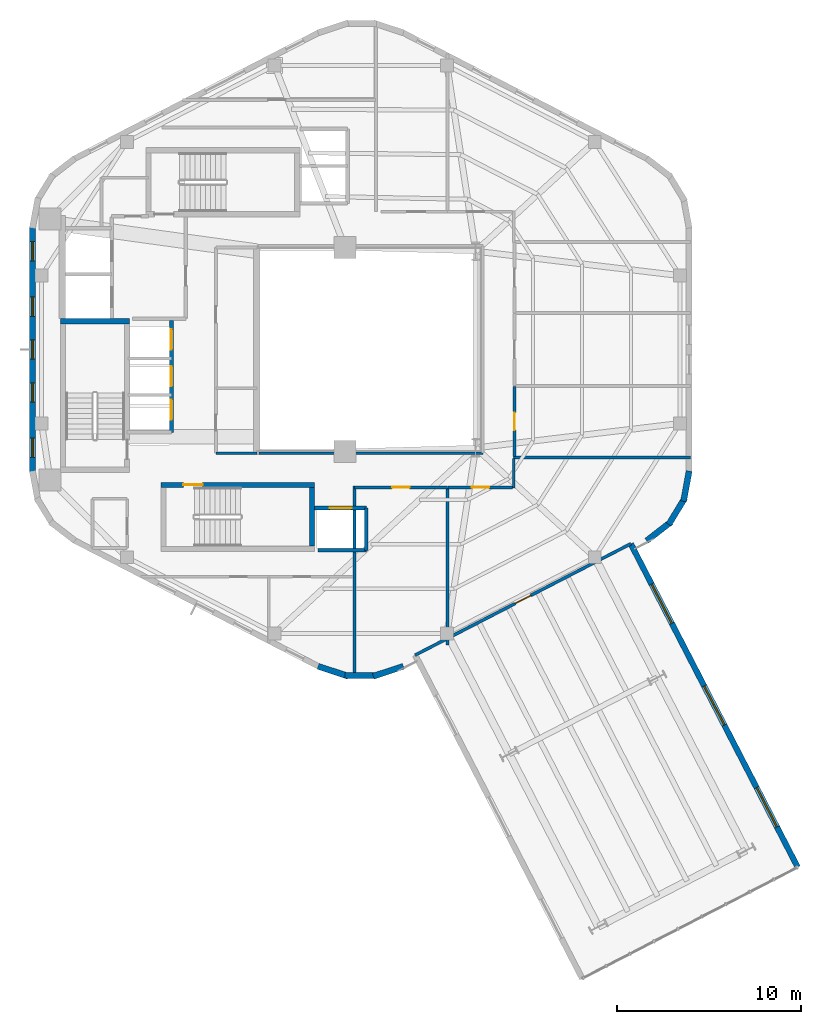
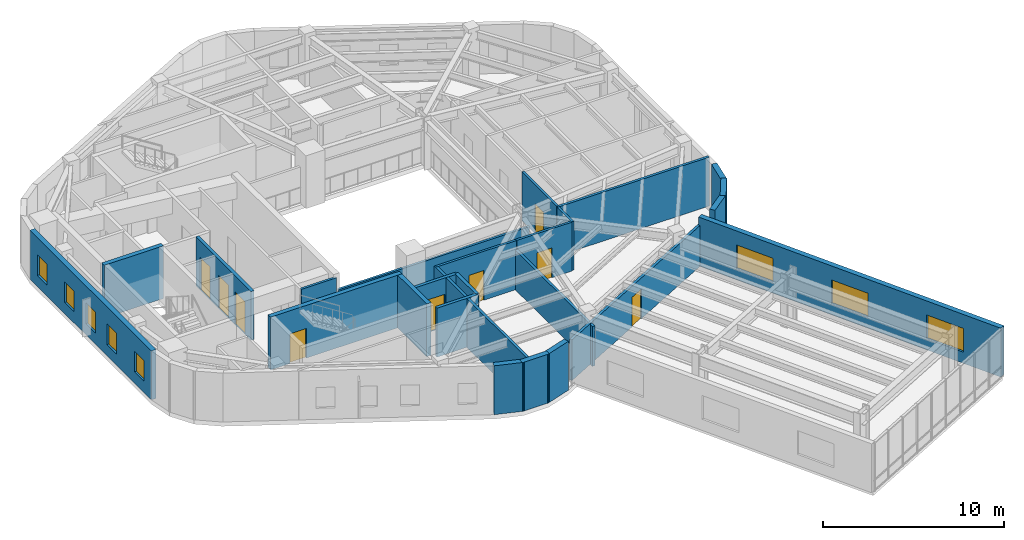
# One storey, part 7 of 11: 25 walls, 9 doors, 8 windows, 17 openings.
"""IFC4 building model written with IfcOpenShell, lengths in metres."""

from ifc_helpers import new_model, si_unit, direction, frame, frame_2d, origin, place, context, subcontext, project, spatial, rectangle, extrude, material, layer, layer_set, type_object, element, fill, save


model = new_model("IFC4")

# Units and contexts
model_context = context("Model", 3, precision=1e-05, world=origin(), true_north=direction((0.0, 1.0)))
body_context = subcontext(model_context, "Body", "Model", "MODEL_VIEW")
ifc_project = project(units=[si_unit("LENGTHUNIT", "METRE"), si_unit("AREAUNIT", "SQUARE_METRE"), si_unit("VOLUMEUNIT", "CUBIC_METRE"), si_unit("PLANEANGLEUNIT", "RADIAN"), si_unit("MASSUNIT", "GRAM", prefix="KILO"), si_unit("THERMODYNAMICTEMPERATUREUNIT", "KELVIN"), si_unit("POWERUNIT", "WATT")], contexts=[model_context])

# Site, building, storey
site_placement = place(None, origin())
site = spatial("IfcSite", under=ifc_project, at=site_placement, CompositionType="ELEMENT")
building_placement = place(site_placement, origin())
building = spatial("IfcBuilding", under=site, at=building_placement, Name="Skarre Station Tower", CompositionType="ELEMENT")
storey_placement = place(building_placement, frame((0.0, 0.0, 241.89990234375)))
storey = spatial("IfcBuildingStorey", under=building, at=storey_placement, Name="L66", CompositionType="ELEMENT", Elevation=241.89990234375)

# Walls
ifc_material_1 = material(Name="Acoustic Steel-Stud Gypsum Partition", Category="steel")
ifc_layer_1 = layer(ifc_material_1, 0.14990234375, Name="Acoustic Steel-Stud Gypsum Partition")
ifc_layer_set_1 = layer_set([ifc_layer_1], Name="Acoustic Steel-Stud Gypsum Partition")
wall_type_1 = type_object("IfcWallType", Name="Fire-Rated Corridor Acoustic Partition 150", PredefinedType="PARTITIONING", material=ifc_layer_set_1)
wall_1_placement = place(storey_placement, frame((25.320068359375, 18.360107421875, 0.0), z_axis=(0.0, 0.0, 1.0), x_axis=(1.0, 0.0, 0.0)))
element("IfcWall", 1, at=wall_1_placement, inside=storey, type_object=wall_type_1, Name="L66 Interior Partition WL-PT-L66-RC2-S", PredefinedType="PARTITIONING", context=body_context, shape_type="SweptSolid", body=[
    extrude(rectangle(XDim=2.22998046875, YDim=0.14990234375, at=frame_2d((1.114990234375, 0.0))), origin(), (0.0, 0.0, 1.0), 3.2900390625),
])
wall_2_placement = place(storey_placement, frame((27.675048828125, 18.360107421875, 0.0), z_axis=(0.0, 0.0, 1.0), x_axis=(1.0, 0.0, 0.0)))
element("IfcWall", 2, at=wall_2_placement, inside=storey, type_object=wall_type_1, Name="L66 Interior Partition WL-PT-L66-ATRW-S", PredefinedType="PARTITIONING", context=body_context, shape_type="SweptSolid", body=[
    extrude(rectangle(XDim=12.1650390625, YDim=0.14990234375, at=frame_2d((6.08251953125, 0.0))), origin(), (0.0, 0.0, 1.0), 2.43115234375),
])

# Wall, opening, door
wall_3_placement = place(storey_placement, frame((41.56005859375, 18.179931640625, 0.0), z_axis=(0.0, 0.0, 1.0), x_axis=(0.0, 1.0, 0.0)))
wall_3 = element("IfcWall", 3, at=wall_3_placement, inside=storey, type_object=wall_type_1, Name="L66 Interior Partition WL-PT-L66-EW1-CW", PredefinedType="PARTITIONING", context=body_context, shape_type="SweptSolid", body=[
    extrude(rectangle(XDim=3.822998046875, YDim=0.14990234375, at=frame_2d((1.91162109375, 0.0))), origin(), (0.0, 0.0, 1.0), 3.2900390625),
])
opening_1_placement = place(wall_3_placement, frame((1.431884765625, 0.0, 0.0)))
opening_1 = element("IfcOpeningElement", 4, at=opening_1_placement, cuts=wall_3, Name="Opening DR-FD60", PredefinedType="OPENING", context=body_context, shape_type="SweptSolid", body=[
    extrude(rectangle(XDim=0.9599609375, YDim=2.0, at=frame_2d((0.47998046875, 1.0))), frame((0.0, 0.0849609375, 0.0), z_axis=(0.0, -1.0, 0.0), x_axis=(1.0, 0.0, 0.0)), (0.0, 0.0, 1.0), 0.169921875),
])
ifc_material_2 = material(Name="Nordic White-Oak Veneer Solid-Core Fire Leaf", Category="wood")
door_type_1 = type_object("IfcDoorType", Name="Corridor Suite Entry Fire Door FD60 960x2150", OperationType="SINGLE_SWING_LEFT", PredefinedType="DOOR", material=ifc_material_2)
door_1_placement = place(opening_1_placement, origin())
door_1 = element("IfcDoor", 5, at=door_1_placement, inside=storey, type_object=door_type_1, Name="L66 EW1 Entry Door", OperationType="SINGLE_SWING_LEFT", OverallHeight=2.0, OverallWidth=0.9599609375, PredefinedType="DOOR", context=body_context, shape_type="SweptSolid", body=[
    extrude(rectangle(XDim=0.9599609375, YDim=2.0, at=frame_2d((0.47998046875, 1.0))), frame((0.0, 0.02490234375, 0.0), z_axis=(0.0, -1.0, 0.0), x_axis=(1.0, 0.0, 0.0)), (0.0, 0.0, 1.0), 0.050048828125),
])
fill(opening_1, door_1)

# Wall
wall_4_placement = place(storey_placement, frame((41.52001953125, 16.4599609375, 0.0), z_axis=(0.0, 0.0, 1.0), x_axis=(0.0, 1.0, 0.0)))
element("IfcWall", 6, at=wall_4_placement, inside=storey, type_object=wall_type_1, Name="L66 Interior Partition WL-PT-L66-CORR-SER", PredefinedType="PARTITIONING", context=body_context, shape_type="SweptSolid", body=[
    extrude(rectangle(XDim=1.60205078125, YDim=0.14990234375, at=frame_2d((0.801025390625, 0.0))), origin(), (0.0, 0.0, 1.0), 3.2900390625),
])

# Wall, opening, door
wall_5_placement = place(storey_placement, frame((32.85009765625, 16.5, 0.0), z_axis=(0.0, 0.0, 1.0), x_axis=(1.0, 0.0, 0.0)))
wall_5 = element("IfcWall", 7, at=wall_5_placement, inside=storey, type_object=wall_type_1, Name="L66 Interior Partition WL-PT-L66-SW1-CW", PredefinedType="PARTITIONING", context=body_context, shape_type="SweptSolid", body=[
    extrude(rectangle(XDim=5.060791015625, YDim=0.14990234375, at=frame_2d((2.5302734375, 0.0))), origin(), (0.0, 0.0, 1.0), 3.2900390625),
])
opening_2_placement = place(wall_5_placement, frame((2.051025390625, 0.0, 0.0)))
opening_2 = element("IfcOpeningElement", 8, at=opening_2_placement, cuts=wall_5, Name="Opening DR-FD60", PredefinedType="OPENING", context=body_context, shape_type="SweptSolid", body=[
    extrude(rectangle(XDim=0.9599609375, YDim=2.0, at=frame_2d((0.47998046875, 1.0))), frame((0.0, 0.0849609375, 0.0), z_axis=(0.0, -1.0, 0.0), x_axis=(1.0, 0.0, 0.0)), (0.0, 0.0, 1.0), 0.169921875),
])
door_2_placement = place(opening_2_placement, origin())
door_2 = element("IfcDoor", 9, at=door_2_placement, inside=storey, type_object=door_type_1, Name="L66 SW1 Entry Door", OperationType="SINGLE_SWING_LEFT", OverallHeight=2.0, OverallWidth=0.9599609375, PredefinedType="DOOR", context=body_context, shape_type="SweptSolid", body=[
    extrude(rectangle(XDim=0.9599609375, YDim=2.0, at=frame_2d((0.47998046875, 1.0))), frame((0.0, 0.02490234375, 0.0), z_axis=(0.0, -1.0, 0.0), x_axis=(1.0, 0.0, 0.0)), (0.0, 0.0, 1.0), 0.050048828125),
])
fill(opening_2, door_2)

wall_6_placement = place(storey_placement, frame((37.947021484375, 16.5, 0.0), z_axis=(0.0, 0.0, 1.0), x_axis=(1.0, 0.0, 0.0)))
wall_6 = element("IfcWall", 10, at=wall_6_placement, inside=storey, type_object=wall_type_1, Name="L66 Interior Partition WL-PT-L66-SW2-CW", PredefinedType="PARTITIONING", context=body_context, shape_type="SweptSolid", body=[
    extrude(rectangle(XDim=3.512939453125, YDim=0.14990234375, at=frame_2d((1.75634765625, 0.0))), origin(), (0.0, 0.0, 1.0), 3.2900390625),
])
opening_3_placement = place(wall_6_placement, frame((1.277099609375, 0.0, 0.0)))
opening_3 = element("IfcOpeningElement", 11, at=opening_3_placement, cuts=wall_6, Name="Opening DR-FD60", PredefinedType="OPENING", context=body_context, shape_type="SweptSolid", body=[
    extrude(rectangle(XDim=0.9599609375, YDim=2.0, at=frame_2d((0.47998046875, 1.0))), frame((0.0, 0.0849609375, 0.0), z_axis=(0.0, -1.0, 0.0), x_axis=(1.0, 0.0, 0.0)), (0.0, 0.0, 1.0), 0.169921875),
])
door_3_placement = place(opening_3_placement, origin())
door_3 = element("IfcDoor", 12, at=door_3_placement, inside=storey, type_object=door_type_1, Name="L66 SW2 Entry Door", OperationType="SINGLE_SWING_LEFT", OverallHeight=2.0, OverallWidth=0.9599609375, PredefinedType="DOOR", context=body_context, shape_type="SweptSolid", body=[
    extrude(rectangle(XDim=0.9599609375, YDim=2.0, at=frame_2d((0.47998046875, 1.0))), frame((0.0, 0.02490234375, 0.0), z_axis=(0.0, -1.0, 0.0), x_axis=(1.0, 0.0, 0.0)), (0.0, 0.0, 1.0), 0.050048828125),
])
fill(opening_3, door_3)

# Walls
ifc_material_3 = material(Name="Precast concrete C45/55", Category="concrete")
ifc_layer_2 = layer(ifc_material_3, 0.330078125, Name="Precast concrete C45/55")
ifc_layer_set_2 = layer_set([ifc_layer_2], Name="Precast concrete C45/55")
wall_type_2 = type_object("IfcWallType", Name="Nordic Rounded Corner Precast Wall 330", PredefinedType="STANDARD", material=ifc_layer_set_2)
wall_7_placement = place(storey_placement, frame((35.51806640625, 6.76904296875, 0.0), z_axis=(0.0, 0.0, 1.0), x_axis=(-0.949713440491, -0.313120393699, 0.0)))
element("IfcWall", 13, at=wall_7_placement, inside=storey, type_object=wall_type_2, Name="L66 Rounded Corner Precast Wall F4-1", PredefinedType="STANDARD", context=body_context, shape_type="SweptSolid", body=[
    extrude(rectangle(XDim=1.7216796875, YDim=0.330078125, at=frame_2d((0.86083984375, 0.0))), origin(), (0.0, 0.0, 1.0), 3.2900390625),
])
wall_8_placement = place(storey_placement, frame((34.06103515625, 6.259033203125, 0.0), z_axis=(0.0, 0.0, 1.0), x_axis=(-1.0, 0.0, 0.0)))
element("IfcWall", 14, at=wall_8_placement, inside=storey, type_object=wall_type_2, Name="L66 Rounded Corner Precast Wall F4-2", PredefinedType="STANDARD", context=body_context, shape_type="SweptSolid", body=[
    extrude(rectangle(XDim=1.721923828125, YDim=0.330078125, at=frame_2d((0.86083984375, 0.0))), origin(), (0.0, 0.0, 1.0), 3.2900390625),
])
wall_9_placement = place(storey_placement, frame((32.51708984375, 6.22998046875, 0.0), z_axis=(0.0, 0.0, 1.0), x_axis=(-0.949713440491, 0.313120393699, 0.0)))
element("IfcWall", 15, at=wall_9_placement, inside=storey, type_object=wall_type_2, Name="L66 Rounded Corner Precast Wall F4-3", PredefinedType="STANDARD", context=body_context, shape_type="SweptSolid", body=[
    extrude(rectangle(XDim=1.7216796875, YDim=0.330078125, at=frame_2d((0.86083984375, 0.0))), origin(), (0.0, 0.0, 1.0), 3.2900390625),
])
wall_10_placement = place(storey_placement, frame((51.06201171875, 17.39208984375, 0.0), z_axis=(0.0, 0.0, 1.0), x_axis=(-0.180691763044, -0.983539773862, 0.0)))
element("IfcWall", 16, at=wall_10_placement, inside=storey, type_object=wall_type_2, Name="L66 Rounded Corner Precast Wall F5-1", PredefinedType="STANDARD", context=body_context, shape_type="SweptSolid", body=[
    extrude(rectangle(XDim=1.6767578125, YDim=0.330078125, at=frame_2d((0.83837890625, 0.0))), origin(), (0.0, 0.0, 1.0), 3.2900390625),
])
wall_11_placement = place(storey_placement, frame((50.825927734375, 15.91796875, 0.0), z_axis=(0.0, 0.0, 1.0), x_axis=(-0.520325409202, -0.853968072318, 0.0)))
element("IfcWall", 17, at=wall_11_placement, inside=storey, type_object=wall_type_2, Name="L66 Rounded Corner Precast Wall F5-2", PredefinedType="STANDARD", context=body_context, shape_type="SweptSolid", body=[
    extrude(rectangle(XDim=1.677978515625, YDim=0.330078125, at=frame_2d((0.8388671875, 0.0))), origin(), (0.0, 0.0, 1.0), 3.2900390625),
])
wall_12_placement = place(storey_placement, frame((50.077880859375, 14.625, 0.0), z_axis=(0.0, 0.0, 1.0), x_axis=(-0.790691856293, -0.61221433207, 0.0)))
element("IfcWall", 18, at=wall_12_placement, inside=storey, type_object=wall_type_2, Name="L66 Rounded Corner Precast Wall F5-3", PredefinedType="STANDARD", context=body_context, shape_type="SweptSolid", body=[
    extrude(rectangle(XDim=1.67578125, YDim=0.330078125, at=frame_2d((0.837890625, 0.0))), origin(), (0.0, 0.0, 1.0), 3.2900390625),
])

# Wall, openings, windows
ifc_layer_3 = layer(ifc_material_3, 0.31005859375, Name="Precast concrete C45/55")
ifc_layer_set_3 = layer_set([ifc_layer_3], Name="Precast concrete C45/55")
wall_type_3 = type_object("IfcWallType", Name="Nordic Upper-Zone Precast Facet Wall 310", PredefinedType="STANDARD", material=ifc_layer_set_3)
wall_13_placement = place(storey_placement, frame((15.342041015625, 17.298095703125, 0.0), z_axis=(0.0, 0.0, 1.0), x_axis=(0.0, 1.0, 0.0)))
wall_13 = element("IfcWall", 19, at=wall_13_placement, inside=storey, type_object=wall_type_3, Name="L66 Facet 2 Nordic Precast Masonry Wall", PredefinedType="STANDARD", context=body_context, shape_type="SweptSolid", body=[
    extrude(rectangle(XDim=13.40380859375, YDim=0.31005859375, at=frame_2d((6.701904296875, 0.0))), origin(), (0.0, 0.0, 1.0), 3.2900390625),
])
opening_4_placement = place(wall_13_placement, frame((0.8310546875, 0.0, 0.75)))
opening_4 = element("IfcOpeningElement", 20, at=opening_4_placement, cuts=wall_13, Name="Opening WN-SLT", PredefinedType="OPENING", context=body_context, shape_type="SweptSolid", body=[
    extrude(rectangle(XDim=1.050048828125, YDim=1.39990234375, at=frame_2d((0.52490234375, 0.699951171875))), frame((0.0, 0.1650390625, 0.0), z_axis=(0.0, -1.0, 0.0), x_axis=(1.0, 0.0, 0.0)), (0.0, 0.0, 1.0), 0.330078125),
])
opening_5_placement = place(wall_13_placement, frame((3.843017578125, 0.0, 0.75)))
opening_5 = element("IfcOpeningElement", 21, at=opening_5_placement, cuts=wall_13, Name="Opening WN-SLT", PredefinedType="OPENING", context=body_context, shape_type="SweptSolid", body=[
    extrude(rectangle(XDim=1.050048828125, YDim=1.39990234375, at=frame_2d((0.52490234375, 0.699951171875))), frame((0.0, 0.1650390625, 0.0), z_axis=(0.0, -1.0, 0.0), x_axis=(1.0, 0.0, 0.0)), (0.0, 0.0, 1.0), 0.330078125),
])
opening_6_placement = place(wall_13_placement, frame((6.177001953125, 0.0, 0.75)))
opening_6 = element("IfcOpeningElement", 22, at=opening_6_placement, cuts=wall_13, Name="Opening WN-SLT", PredefinedType="OPENING", context=body_context, shape_type="SweptSolid", body=[
    extrude(rectangle(XDim=1.050048828125, YDim=1.39990234375, at=frame_2d((0.52490234375, 0.699951171875))), frame((0.0, 0.1650390625, 0.0), z_axis=(0.0, -1.0, 0.0), x_axis=(1.0, 0.0, 0.0)), (0.0, 0.0, 1.0), 0.330078125),
])
opening_7_placement = place(wall_13_placement, frame((8.510986328125, 0.0, 0.75)))
opening_7 = element("IfcOpeningElement", 23, at=opening_7_placement, cuts=wall_13, Name="Opening WN-SLT", PredefinedType="OPENING", context=body_context, shape_type="SweptSolid", body=[
    extrude(rectangle(XDim=1.050048828125, YDim=1.39990234375, at=frame_2d((0.52490234375, 0.699951171875))), frame((0.0, 0.1650390625, 0.0), z_axis=(0.0, -1.0, 0.0), x_axis=(1.0, 0.0, 0.0)), (0.0, 0.0, 1.0), 0.330078125),
])
opening_8_placement = place(wall_13_placement, frame((11.52392578125, 0.0, 0.75)))
opening_8 = element("IfcOpeningElement", 24, at=opening_8_placement, cuts=wall_13, Name="Opening WN-SLT", PredefinedType="OPENING", context=body_context, shape_type="SweptSolid", body=[
    extrude(rectangle(XDim=1.050048828125, YDim=1.39990234375, at=frame_2d((0.52490234375, 0.699951171875))), frame((0.0, 0.1650390625, 0.0), z_axis=(0.0, -1.0, 0.0), x_axis=(1.0, 0.0, 0.0)), (0.0, 0.0, 1.0), 0.330078125),
])
ifc_material_4 = material(Name="Low-Iron Triple Glazing with Bronze Anodized Frame", Category="glass")
window_type_1 = type_object("IfcWindowType", Name="Nordic Corner Slot Window 1050x1400", PartitioningType="SINGLE_PANEL", PredefinedType="WINDOW", material=ifc_material_4)
window_1_placement = place(opening_4_placement, origin())
window_1 = element("IfcWindow", 25, at=window_1_placement, inside=storey, type_object=window_type_1, Name="L66 Facade Window WL-FAC-L66-F2-1", OverallHeight=1.39990234375, OverallWidth=1.050048828125, PartitioningType="SINGLE_PANEL", PredefinedType="WINDOW", context=body_context, shape_type="SweptSolid", body=[
    extrude(rectangle(XDim=1.050048828125, YDim=1.39990234375, at=frame_2d((0.52490234375, 0.699951171875))), frame((0.0, 0.030029296875, 0.0), z_axis=(0.0, -1.0, 0.0), x_axis=(1.0, 0.0, 0.0)), (0.0, 0.0, 1.0), 0.06005859375),
])
fill(opening_4, window_1)
window_2_placement = place(opening_5_placement, origin())
window_2 = element("IfcWindow", 26, at=window_2_placement, inside=storey, type_object=window_type_1, Name="L66 Facade Window WL-FAC-L66-F2-2", OverallHeight=1.39990234375, OverallWidth=1.050048828125, PartitioningType="SINGLE_PANEL", PredefinedType="WINDOW", context=body_context, shape_type="SweptSolid", body=[
    extrude(rectangle(XDim=1.050048828125, YDim=1.39990234375, at=frame_2d((0.52490234375, 0.699951171875))), frame((0.0, 0.030029296875, 0.0), z_axis=(0.0, -1.0, 0.0), x_axis=(1.0, 0.0, 0.0)), (0.0, 0.0, 1.0), 0.06005859375),
])
fill(opening_5, window_2)
window_3_placement = place(opening_6_placement, origin())
window_3 = element("IfcWindow", 27, at=window_3_placement, inside=storey, type_object=window_type_1, Name="L66 Facade Window WL-FAC-L66-F2-3", OverallHeight=1.39990234375, OverallWidth=1.050048828125, PartitioningType="SINGLE_PANEL", PredefinedType="WINDOW", context=body_context, shape_type="SweptSolid", body=[
    extrude(rectangle(XDim=1.050048828125, YDim=1.39990234375, at=frame_2d((0.52490234375, 0.699951171875))), frame((0.0, 0.030029296875, 0.0), z_axis=(0.0, -1.0, 0.0), x_axis=(1.0, 0.0, 0.0)), (0.0, 0.0, 1.0), 0.06005859375),
])
fill(opening_6, window_3)
window_4_placement = place(opening_7_placement, origin())
window_4 = element("IfcWindow", 28, at=window_4_placement, inside=storey, type_object=window_type_1, Name="L66 Facade Window WL-FAC-L66-F2-4", OverallHeight=1.39990234375, OverallWidth=1.050048828125, PartitioningType="SINGLE_PANEL", PredefinedType="WINDOW", context=body_context, shape_type="SweptSolid", body=[
    extrude(rectangle(XDim=1.050048828125, YDim=1.39990234375, at=frame_2d((0.52490234375, 0.699951171875))), frame((0.0, 0.030029296875, 0.0), z_axis=(0.0, -1.0, 0.0), x_axis=(1.0, 0.0, 0.0)), (0.0, 0.0, 1.0), 0.06005859375),
])
fill(opening_7, window_4)
window_5_placement = place(opening_8_placement, origin())
window_5 = element("IfcWindow", 29, at=window_5_placement, inside=storey, type_object=window_type_1, Name="L66 Facade Window WL-FAC-L66-F2-5", OverallHeight=1.39990234375, OverallWidth=1.050048828125, PartitioningType="SINGLE_PANEL", PredefinedType="WINDOW", context=body_context, shape_type="SweptSolid", body=[
    extrude(rectangle(XDim=1.050048828125, YDim=1.39990234375, at=frame_2d((0.52490234375, 0.699951171875))), frame((0.0, 0.030029296875, 0.0), z_axis=(0.0, -1.0, 0.0), x_axis=(1.0, 0.0, 0.0)), (0.0, 0.0, 1.0), 0.06005859375),
])
fill(opening_8, window_5)

wall_14_placement = place(storey_placement, frame((47.887939453125, 13.43310546875, 0.0), z_axis=(0.0, 0.0, 1.0), x_axis=(0.458693173014, -0.888594718097, 0.0)))
wall_14 = element("IfcWall", 30, at=wall_14_placement, inside=storey, type_object=wall_type_3, Name="L66 SB-5 Side 2 Precast Wall", PredefinedType="STANDARD", context=body_context, shape_type="SweptSolid", body=[
    extrude(rectangle(XDim=19.7998046875, YDim=0.31005859375, at=frame_2d((9.89990234375, 0.0))), origin(), (0.0, 0.0, 1.0), 3.2900390625),
])
opening_9_placement = place(wall_14_placement, frame((2.467041015625, 0.0, 0.75)))
opening_9 = element("IfcOpeningElement", 31, at=opening_9_placement, cuts=wall_14, Name="Opening WN-Z4A", PredefinedType="OPENING", context=body_context, shape_type="SweptSolid", body=[
    extrude(rectangle(XDim=2.39990234375, YDim=1.60009765625, at=frame_2d((1.199951171875, 0.800048828125))), frame((0.0, 0.1650390625, 0.0), z_axis=(0.0, -1.0, 0.0), x_axis=(1.0, 0.0, 0.0)), (0.0, 0.0, 1.0), 0.330078125),
])
opening_10_placement = place(wall_14_placement, frame((8.699951171875, 0.0, 0.75)))
opening_10 = element("IfcOpeningElement", 32, at=opening_10_placement, cuts=wall_14, Name="Opening WN-Z4A", PredefinedType="OPENING", context=body_context, shape_type="SweptSolid", body=[
    extrude(rectangle(XDim=2.39990234375, YDim=1.60009765625, at=frame_2d((1.199951171875, 0.800048828125))), frame((0.0, 0.1650390625, 0.0), z_axis=(0.0, -1.0, 0.0), x_axis=(1.0, 0.0, 0.0)), (0.0, 0.0, 1.0), 0.330078125),
])
opening_11_placement = place(wall_14_placement, frame((14.93310546875, 0.0, 0.75)))
opening_11 = element("IfcOpeningElement", 33, at=opening_11_placement, cuts=wall_14, Name="Opening WN-Z4A", PredefinedType="OPENING", context=body_context, shape_type="SweptSolid", body=[
    extrude(rectangle(XDim=2.39990234375, YDim=1.60009765625, at=frame_2d((1.199951171875, 0.800048828125))), frame((0.0, 0.1650390625, 0.0), z_axis=(0.0, -1.0, 0.0), x_axis=(1.0, 0.0, 0.0)), (0.0, 0.0, 1.0), 0.330078125),
])
window_type_2 = type_object("IfcWindowType", Name="Nordic Crown Panorama Window 2400x1600", PartitioningType="SINGLE_PANEL", PredefinedType="WINDOW", material=ifc_material_4)
window_6_placement = place(opening_9_placement, origin())
window_6 = element("IfcWindow", 34, at=window_6_placement, inside=storey, type_object=window_type_2, Name="L66 Facade Window WL-SB-5-L66-S2-1", OverallHeight=1.60009765625, OverallWidth=2.39990234375, PartitioningType="SINGLE_PANEL", PredefinedType="WINDOW", context=body_context, shape_type="SweptSolid", body=[
    extrude(rectangle(XDim=2.39990234375, YDim=1.60009765625, at=frame_2d((1.199951171875, 0.800048828125))), frame((0.0, 0.030029296875, 0.0), z_axis=(0.0, -1.0, 0.0), x_axis=(1.0, 0.0, 0.0)), (0.0, 0.0, 1.0), 0.06005859375),
])
fill(opening_9, window_6)
window_7_placement = place(opening_10_placement, origin())
window_7 = element("IfcWindow", 35, at=window_7_placement, inside=storey, type_object=window_type_2, Name="L66 Facade Window WL-SB-5-L66-S2-2", OverallHeight=1.60009765625, OverallWidth=2.39990234375, PartitioningType="SINGLE_PANEL", PredefinedType="WINDOW", context=body_context, shape_type="SweptSolid", body=[
    extrude(rectangle(XDim=2.39990234375, YDim=1.60009765625, at=frame_2d((1.199951171875, 0.800048828125))), frame((0.0, 0.030029296875, 0.0), z_axis=(0.0, -1.0, 0.0), x_axis=(1.0, 0.0, 0.0)), (0.0, 0.0, 1.0), 0.06005859375),
])
fill(opening_10, window_7)
window_8_placement = place(opening_11_placement, origin())
window_8 = element("IfcWindow", 36, at=window_8_placement, inside=storey, type_object=window_type_2, Name="L66 Facade Window WL-SB-5-L66-S2-3", OverallHeight=1.60009765625, OverallWidth=2.39990234375, PartitioningType="SINGLE_PANEL", PredefinedType="WINDOW", context=body_context, shape_type="SweptSolid", body=[
    extrude(rectangle(XDim=2.39990234375, YDim=1.60009765625, at=frame_2d((1.199951171875, 0.800048828125))), frame((0.0, 0.030029296875, 0.0), z_axis=(0.0, -1.0, 0.0), x_axis=(1.0, 0.0, 0.0)), (0.0, 0.0, 1.0), 0.06005859375),
])
fill(opening_11, window_8)

# Wall
ifc_material_5 = material(Name="Concrete C50/60", Category="concrete")
ifc_layer_4 = layer(ifc_material_5, 0.280029296875, Name="Concrete C50/60")
ifc_layer_set_4 = layer_set([ifc_layer_4], Name="Concrete C50/60")
wall_type_4 = type_object("IfcWallType", Name="RC Core Shear Wall 280", PredefinedType="SHEAR", material=ifc_layer_set_4)
wall_15_placement = place(storey_placement, frame((20.6298828125, 25.5400390625, 0.0), z_axis=(0.0, 0.0, 1.0), x_axis=(-1.0, 0.0, 0.0)))
element("IfcWall", 37, at=wall_15_placement, inside=storey, type_object=wall_type_4, Name="L66 Stair ST-1 North Shear Wall", PredefinedType="SHEAR", context=body_context, shape_type="SweptSolid", body=[
    extrude(rectangle(XDim=3.759765625, YDim=0.280029296875, at=frame_2d((1.8798828125, 0.0))), origin(), (0.0, 0.0, 1.0), 3.550048828125),
])

# Wall, opening, door
wall_16_placement = place(storey_placement, frame((30.679931640625, 16.639892578125, 0.0), z_axis=(0.0, 0.0, 1.0), x_axis=(-1.0, 0.0, 0.0)))
wall_16 = element("IfcWall", 38, at=wall_16_placement, inside=storey, type_object=wall_type_4, Name="L66 Stair ST-2 North Shear Wall", PredefinedType="SHEAR", context=body_context, shape_type="SweptSolid", body=[
    extrude(rectangle(XDim=8.35986328125, YDim=0.280029296875, at=frame_2d((4.179931640625, 0.0))), origin(), (0.0, 0.0, 1.0), 3.550048828125),
])
opening_12_placement = place(wall_16_placement, frame((6.080078125, 0.0, 0.0)))
opening_12 = element("IfcOpeningElement", 39, at=opening_12_placement, cuts=wall_16, Name="Opening DR-FD90", PredefinedType="OPENING", context=body_context, shape_type="SweptSolid", body=[
    extrude(rectangle(XDim=1.050048828125, YDim=2.0, at=frame_2d((0.52490234375, 1.0))), frame((0.0, 0.14990234375, 0.0), z_axis=(0.0, -1.0, 0.0), x_axis=(1.0, 0.0, 0.0)), (0.0, 0.0, 1.0), 0.300048828125),
])
ifc_material_6 = material(Name="Fire-Rated Insulated Steel Frame & Timber Core Leaf", Category="steel")
door_type_2 = type_object("IfcDoorType", Name="Stair & FSAE Lobby Fire Door FD90 1050x2150", OperationType="SINGLE_SWING_RIGHT", PredefinedType="DOOR", material=ifc_material_6)
door_4_placement = place(opening_12_placement, origin())
door_4 = element("IfcDoor", 40, at=door_4_placement, inside=storey, type_object=door_type_2, Name="L66 Stair ST-2 Exit Door", OperationType="SINGLE_SWING_RIGHT", OverallHeight=2.0, OverallWidth=1.050048828125, PredefinedType="DOOR", context=body_context, shape_type="SweptSolid", body=[
    extrude(rectangle(XDim=1.050048828125, YDim=2.0, at=frame_2d((0.52490234375, 1.0))), frame((0.0, 0.02490234375, 0.0), z_axis=(0.0, -1.0, 0.0), x_axis=(1.0, 0.0, 0.0)), (0.0, 0.0, 1.0), 0.050048828125),
])
fill(opening_12, door_4)

# Wall
wall_17_placement = place(storey_placement, frame((30.5400390625, 13.300048828125, 0.0), z_axis=(0.0, 0.0, 1.0), x_axis=(0.0, 1.0, 0.0)))
element("IfcWall", 41, at=wall_17_placement, inside=storey, type_object=wall_type_4, Name="L66 Stair ST-2 East Shear Wall", PredefinedType="SHEAR", context=body_context, shape_type="SweptSolid", body=[
    extrude(rectangle(XDim=3.199951171875, YDim=0.280029296875, at=frame_2d((1.60009765625, 0.0))), origin(), (0.0, 0.0, 1.0), 3.550048828125),
])

# Wall, opening, door
ifc_material_7 = material(Name="Gypsum Concrete Shaft Assembly C30/37", Category="concrete")
ifc_layer_5 = layer(ifc_material_7, 0.199951171875, Name="Gypsum Concrete Shaft Assembly C30/37")
ifc_layer_set_5 = layer_set([ifc_layer_5], Name="Gypsum Concrete Shaft Assembly C30/37")
wall_type_5 = type_object("IfcWallType", Name="Shaft & Core Fire Partition 200", PredefinedType="PARTITIONING", material=ifc_layer_set_5)
wall_18_placement = place(storey_placement, frame((33.5, 15.3798828125, 0.0), z_axis=(0.0, 0.0, 1.0), x_axis=(-1.0, 0.0, 0.0)))
wall_18 = element("IfcWall", 42, at=wall_18_placement, inside=storey, type_object=wall_type_5, Name="L66 Interior Partition WL-PT-L66-SV1-N", PredefinedType="PARTITIONING", context=body_context, shape_type="SweptSolid", body=[
    extrude(rectangle(XDim=2.820068359375, YDim=0.199951171875, at=frame_2d((1.41015625, 0.0))), origin(), (0.0, 0.0, 1.0), 3.2900390625),
])
opening_13_placement = place(wall_18_placement, frame((0.800048828125, 0.0, 0.0)))
opening_13 = element("IfcOpeningElement", 43, at=opening_13_placement, cuts=wall_18, Name="Opening LD-SV1", PredefinedType="OPENING", context=body_context, shape_type="SweptSolid", body=[
    extrude(rectangle(XDim=1.199951171875, YDim=2.199951171875, at=frame_2d((0.60009765625, 1.10009765625))), frame((0.0, 0.10986328125, 0.0), z_axis=(0.0, -1.0, 0.0), x_axis=(1.0, 0.0, 0.0)), (0.0, 0.0, 1.0), 0.219970703125),
])
ifc_material_8 = material(Name="Heavy-Gauge Brushed Stainless Steel Sliding Leaves", Category="steel")
door_type_3 = type_object("IfcDoorType", Name="Service Elevator Wide Sliding Landing Door 1200x2200", OperationType="SLIDING_TO_RIGHT", PredefinedType="DOOR", material=ifc_material_8)
door_5_placement = place(opening_13_placement, origin())
door_5 = element("IfcDoor", 44, at=door_5_placement, inside=storey, type_object=door_type_3, Name="L66 Service Lift LF-SV1 Landing Door", OperationType="SLIDING_TO_RIGHT", OverallHeight=2.199951171875, OverallWidth=1.199951171875, PredefinedType="DOOR", context=body_context, shape_type="SweptSolid", body=[
    extrude(rectangle(XDim=1.199951171875, YDim=2.199951171875, at=frame_2d((0.60009765625, 1.10009765625))), frame((0.0, 0.02490234375, 0.0), z_axis=(0.0, -1.0, 0.0), x_axis=(1.0, 0.0, 0.0)), (0.0, 0.0, 1.0), 0.050048828125),
])
fill(opening_13, door_5)

# Walls
wall_19_placement = place(storey_placement, frame((33.5, 13.080078125, 0.0), z_axis=(0.0, 0.0, 1.0), x_axis=(0.0, 1.0, 0.0)))
element("IfcWall", 45, at=wall_19_placement, inside=storey, type_object=wall_type_5, Name="L66 Interior Partition WL-PT-L66-SV1-E", PredefinedType="PARTITIONING", context=body_context, shape_type="SweptSolid", body=[
    extrude(rectangle(XDim=2.2998046875, YDim=0.199951171875, at=frame_2d((1.14990234375, 0.0))), origin(), (0.0, 0.0, 1.0), 3.2900390625),
])
wall_20_placement = place(storey_placement, frame((30.87890625, 13.080078125, 0.0), z_axis=(0.0, 0.0, 1.0), x_axis=(1.0, 0.0, 0.0)))
element("IfcWall", 46, at=wall_20_placement, inside=storey, type_object=wall_type_5, Name="L66 Interior Partition WL-PT-L66-SV1-S", PredefinedType="PARTITIONING", context=body_context, shape_type="SweptSolid", body=[
    extrude(rectangle(XDim=2.62109375, YDim=0.199951171875, at=frame_2d((1.310546875, 0.0))), origin(), (0.0, 0.0, 1.0), 3.2900390625),
])

# Wall, openings, doors
wall_21_placement = place(storey_placement, frame((22.89990234375, 19.5, 0.0), z_axis=(0.0, 0.0, 1.0), x_axis=(0.0, 1.0, 0.0)))
wall_21 = element("IfcWall", 47, at=wall_21_placement, inside=storey, type_object=wall_type_5, Name="L66 Interior Partition WL-PT-L66-B3-E", PredefinedType="PARTITIONING", context=body_context, shape_type="SweptSolid", body=[
    extrude(rectangle(XDim=6.0849609375, YDim=0.199951171875, at=frame_2d((3.04248046875, 0.0))), origin(), (0.0, 0.0, 1.0), 3.2900390625),
])
opening_14_placement = place(wall_21_placement, frame((0.679931640625, 0.0, 0.0)))
opening_14 = element("IfcOpeningElement", 48, at=opening_14_placement, cuts=wall_21, Name="Opening LD-P7", PredefinedType="OPENING", context=body_context, shape_type="SweptSolid", body=[
    extrude(rectangle(XDim=1.10009765625, YDim=2.199951171875, at=frame_2d((0.550048828125, 1.10009765625))), frame((0.0, 0.10986328125, 0.0), z_axis=(0.0, -1.0, 0.0), x_axis=(1.0, 0.0, 0.0)), (0.0, 0.0, 1.0), 0.219970703125),
])
opening_15_placement = place(wall_21_placement, frame((2.5, 0.0, 0.0)))
opening_15 = element("IfcOpeningElement", 49, at=opening_15_placement, cuts=wall_21, Name="Opening LD-P8", PredefinedType="OPENING", context=body_context, shape_type="SweptSolid", body=[
    extrude(rectangle(XDim=1.10009765625, YDim=2.199951171875, at=frame_2d((0.550048828125, 1.10009765625))), frame((0.0, 0.10986328125, 0.0), z_axis=(0.0, -1.0, 0.0), x_axis=(1.0, 0.0, 0.0)), (0.0, 0.0, 1.0), 0.219970703125),
])
opening_16_placement = place(wall_21_placement, frame((4.5, 0.0, 0.0)))
opening_16 = element("IfcOpeningElement", 50, at=opening_16_placement, cuts=wall_21, Name="Opening LD-P9", PredefinedType="OPENING", context=body_context, shape_type="SweptSolid", body=[
    extrude(rectangle(XDim=1.10009765625, YDim=2.199951171875, at=frame_2d((0.550048828125, 1.10009765625))), frame((0.0, 0.10986328125, 0.0), z_axis=(0.0, -1.0, 0.0), x_axis=(1.0, 0.0, 0.0)), (0.0, 0.0, 1.0), 0.219970703125),
])
ifc_material_9 = material(Name="Brushed Bronze Stainless Steel Sliding Leaves", Category="steel")
door_type_4 = type_object("IfcDoorType", Name="Passenger Elevator Center-Parting Sliding Door 1100x2200", OperationType="SLIDING_TO_LEFT", PredefinedType="DOOR", material=ifc_material_9)
door_6_placement = place(opening_14_placement, origin())
door_6 = element("IfcDoor", 51, at=door_6_placement, inside=storey, type_object=door_type_4, Name="L66 Passenger Lift LF-P7 Landing Door", OperationType="SLIDING_TO_LEFT", OverallHeight=2.199951171875, OverallWidth=1.10009765625, PredefinedType="DOOR", context=body_context, shape_type="SweptSolid", body=[
    extrude(rectangle(XDim=1.10009765625, YDim=2.199951171875, at=frame_2d((0.550048828125, 1.10009765625))), frame((0.0, 0.02490234375, 0.0), z_axis=(0.0, -1.0, 0.0), x_axis=(1.0, 0.0, 0.0)), (0.0, 0.0, 1.0), 0.050048828125),
])
fill(opening_14, door_6)
door_7_placement = place(opening_15_placement, origin())
door_7 = element("IfcDoor", 52, at=door_7_placement, inside=storey, type_object=door_type_4, Name="L66 Passenger Lift LF-P8 Landing Door", OperationType="SLIDING_TO_LEFT", OverallHeight=2.199951171875, OverallWidth=1.10009765625, PredefinedType="DOOR", context=body_context, shape_type="SweptSolid", body=[
    extrude(rectangle(XDim=1.10009765625, YDim=2.199951171875, at=frame_2d((0.550048828125, 1.10009765625))), frame((0.0, 0.02490234375, 0.0), z_axis=(0.0, -1.0, 0.0), x_axis=(1.0, 0.0, 0.0)), (0.0, 0.0, 1.0), 0.050048828125),
])
fill(opening_15, door_7)
door_8_placement = place(opening_16_placement, origin())
door_8 = element("IfcDoor", 53, at=door_8_placement, inside=storey, type_object=door_type_4, Name="L66 Passenger Lift LF-P9 Landing Door", OperationType="SLIDING_TO_LEFT", OverallHeight=2.199951171875, OverallWidth=1.10009765625, PredefinedType="DOOR", context=body_context, shape_type="SweptSolid", body=[
    extrude(rectangle(XDim=1.10009765625, YDim=2.199951171875, at=frame_2d((0.550048828125, 1.10009765625))), frame((0.0, 0.02490234375, 0.0), z_axis=(0.0, -1.0, 0.0), x_axis=(1.0, 0.0, 0.0)), (0.0, 0.0, 1.0), 0.050048828125),
])
fill(opening_16, door_8)

# Walls
ifc_layer_6 = layer(ifc_material_1, 0.1650390625, Name="Acoustic Steel-Stud Gypsum Partition")
ifc_layer_set_6 = layer_set([ifc_layer_6], Name="Acoustic Steel-Stud Gypsum Partition")
wall_type_6 = type_object("IfcWallType", Name="Suite Demising Acoustic Partition 165", PredefinedType="PARTITIONING", material=ifc_layer_set_6)
wall_22_placement = place(storey_placement, frame((32.85009765625, 6.154052734375, 0.0), z_axis=(0.0, 0.0, 1.0), x_axis=(0.0, 1.0, 0.0)))
element("IfcWall", 54, at=wall_22_placement, inside=storey, type_object=wall_type_6, Name="L66 Interior Partition WL-PT-L66-SWP-E", PredefinedType="PARTITIONING", context=body_context, shape_type="SweptSolid", body=[
    extrude(rectangle(XDim=10.416015625, YDim=0.1650390625, at=frame_2d((5.2080078125, 0.0))), origin(), (0.0, 0.0, 1.0), 3.2900390625),
])
wall_23_placement = place(storey_placement, frame((41.52001953125, 18.139892578125, 0.0), z_axis=(0.0, 0.0, 1.0), x_axis=(1.0, 0.0, 0.0)))
element("IfcWall", 55, at=wall_23_placement, inside=storey, type_object=wall_type_6, Name="L66 Interior Partition WL-PT-L66-EWB-S", PredefinedType="PARTITIONING", context=body_context, shape_type="SweptSolid", body=[
    extrude(rectangle(XDim=9.623046875, YDim=0.1650390625, at=frame_2d((4.8115234375, 0.0))), origin(), (0.0, 0.0, 1.0), 3.2900390625),
])
wall_24_placement = place(storey_placement, frame((37.928955078125, 7.9208984375, 0.0), z_axis=(0.0, 0.0, 1.0), x_axis=(0.0, 1.0, 0.0)))
element("IfcWall", 56, at=wall_24_placement, inside=storey, type_object=wall_type_6, Name="L66 Interior Partition WL-PT-L66-SW-P1", PredefinedType="PARTITIONING", context=body_context, shape_type="SweptSolid", body=[
    extrude(rectangle(XDim=8.549072265625, YDim=0.1650390625, at=frame_2d((4.2744140625, 0.0))), origin(), (0.0, 0.0, 1.0), 2.67919921875),
])

# Wall, opening, door
wall_25_placement = place(storey_placement, frame((36.157958984375, 7.3779296875, 0.0), z_axis=(0.0, 0.0, 1.0), x_axis=(0.88859001822, 0.458702277648, 0.0)))
wall_25 = element("IfcWall", 57, at=wall_25_placement, inside=storey, type_object=wall_type_6, Name="L66 Interior Partition WL-PT-L66-SB-5-ROOT", PredefinedType="PARTITIONING", context=body_context, shape_type="SweptSolid", body=[
    extrude(rectangle(XDim=13.20068359375, YDim=0.1650390625, at=frame_2d((6.600341796875, 0.0))), origin(), (0.0, 0.0, 1.0), 2.7412109375),
])
opening_17_placement = place(wall_25_placement, frame((6.1201171875, 0.0, 0.0)))
opening_17 = element("IfcOpeningElement", 58, at=opening_17_placement, cuts=wall_25, Name="Opening DR-FD60", PredefinedType="OPENING", context=body_context, shape_type="SweptSolid", body=[
    extrude(rectangle(XDim=0.9599609375, YDim=2.0, at=frame_2d((0.47998046875, 1.0))), frame((0.0, 0.092529296875, 0.0), z_axis=(0.0, -1.0, 0.0), x_axis=(1.0, 0.0, 0.0)), (0.0, 0.0, 1.0), 0.18505859375),
])
door_9_placement = place(opening_17_placement, origin())
door_9 = element("IfcDoor", 59, at=door_9_placement, inside=storey, type_object=door_type_1, Name="L66 SB-5 Horizon Salon Door", OperationType="SINGLE_SWING_LEFT", OverallHeight=2.0, OverallWidth=0.9599609375, PredefinedType="DOOR", context=body_context, shape_type="SweptSolid", body=[
    extrude(rectangle(XDim=0.9599609375, YDim=2.0, at=frame_2d((0.47998046875, 1.0))), frame((0.0, 0.02490234375, 0.0), z_axis=(0.0, -1.0, 0.0), x_axis=(1.0, 0.0, 0.0)), (0.0, 0.0, 1.0), 0.050048828125),
])
fill(opening_17, door_9)

save(model, "model.ifc")
